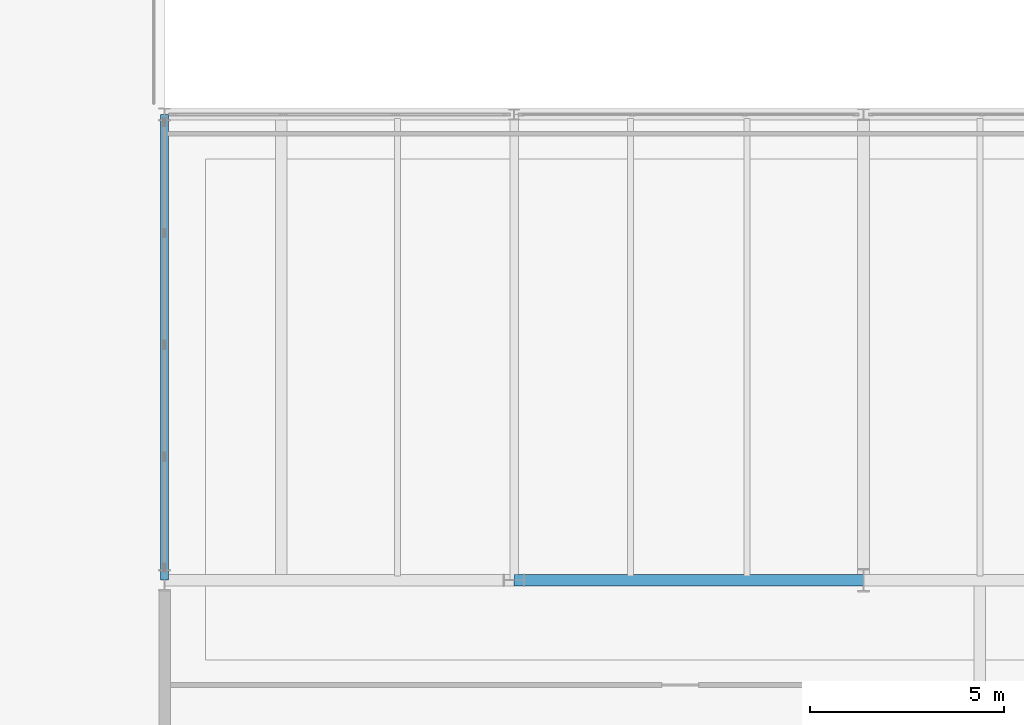
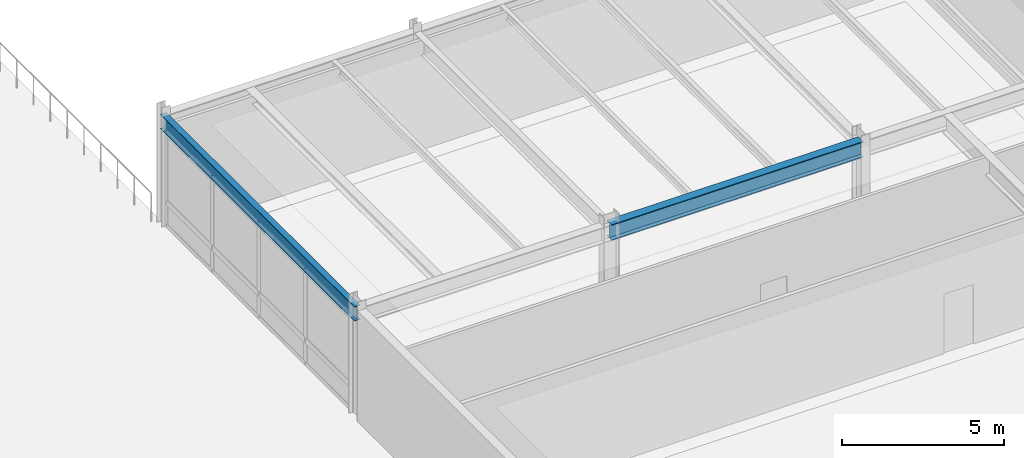
# One storey, part 21 of 127: 2 beams.
"""IFC4 building model written with IfcOpenShell, lengths in metres."""

from ifc_helpers import new_model, si_unit, direction, frame, origin, origin_2d, place, context, subcontext, project, spatial, i_section, extrude, material, material_profile, profile_set, type_object, element, save


model = new_model("IFC4")

# Units and contexts
model_context = context("Model", 3, precision=1e-05, world=origin(), true_north=direction((0.0, 1.0)))
body_context = subcontext(model_context, "Body", "Model", "MODEL_VIEW")
ifc_project = project(units=[si_unit("LENGTHUNIT", "METRE"), si_unit("AREAUNIT", "SQUARE_METRE"), si_unit("VOLUMEUNIT", "CUBIC_METRE"), si_unit("PLANEANGLEUNIT", "RADIAN"), si_unit("MASSUNIT", "GRAM", prefix="KILO")], contexts=[model_context])

# Site, building, storey
site_placement = place(None, origin())
site = spatial("IfcSite", under=ifc_project, at=site_placement, CompositionType="ELEMENT")
building_placement = place(site_placement, origin())
building = spatial("IfcBuilding", under=site, at=building_placement, Name="Montelvaro Courts of Justice", CompositionType="ELEMENT")
storey_placement = place(building_placement, frame((0.0, 0.0, 5.39990234375)))
storey = spatial("IfcBuildingStorey", under=building, at=storey_placement, Name="L01", CompositionType="ELEMENT", Elevation=5.39990234375)

# Beams
ifc_material = material(Name="Steel S355", Category="steel")
ifc_material_profile_1 = material_profile(ifc_material, i_section(OverallWidth=0.300048828125, OverallDepth=0.60009765625, WebThickness=0.015380859375, FlangeThickness=0.030029296875, at=origin_2d()), Name="HEB 600")
ifc_profile_set_1 = profile_set([ifc_material_profile_1], Name="Steel S355")
beam_type_1 = type_object("IfcBeamType", Name="Beam_HEB600", PredefinedType="USERDEFINED", material=ifc_profile_set_1)
beam_1_placement = place(storey_placement, frame((27.0, 42.0, 3.860107421875), z_axis=(1.0, 0.0, 0.0), x_axis=(0.0, 1.0, 0.0)))
element("IfcBeam", 1, at=beam_1_placement, inside=storey, type_object=beam_type_1, Name="Beam B-26 L01", ObjectType="GIRDER", PredefinedType="USERDEFINED", context=body_context, shape_type="SweptSolid", body=[
    extrude(i_section(OverallWidth=0.300048828125, OverallDepth=0.60009765625, WebThickness=0.015380859375, FlangeThickness=0.030029296875, at=origin_2d()), origin(), (0.0, 0.0, 1.0), 9.0),
])
ifc_material_profile_2 = material_profile(ifc_material, i_section(OverallWidth=0.2099609375, OverallDepth=0.550048828125, WebThickness=0.010986328125, FlangeThickness=0.01708984375, at=origin_2d()), Name="IPE 550")
ifc_profile_set_2 = profile_set([ifc_material_profile_2], Name="Steel S355")
beam_type_2 = type_object("IfcBeamType", Name="Beam_IPE550", PredefinedType="BEAM", material=ifc_profile_set_2)
beam_2_placement = place(storey_placement, frame((18.0, 42.0, 3.885009765625), z_axis=(0.0, 1.0, 0.0), x_axis=(-1.0, 0.0, 0.0)))
element("IfcBeam", 2, at=beam_2_placement, inside=storey, type_object=beam_type_2, Name="Beam B-11 L01", PredefinedType="BEAM", context=body_context, shape_type="SweptSolid", body=[
    extrude(i_section(OverallWidth=0.2099609375, OverallDepth=0.550048828125, WebThickness=0.010986328125, FlangeThickness=0.01708984375, at=origin_2d()), origin(), (0.0, 0.0, 1.0), 12.0),
])

save(model, "model.ifc")
